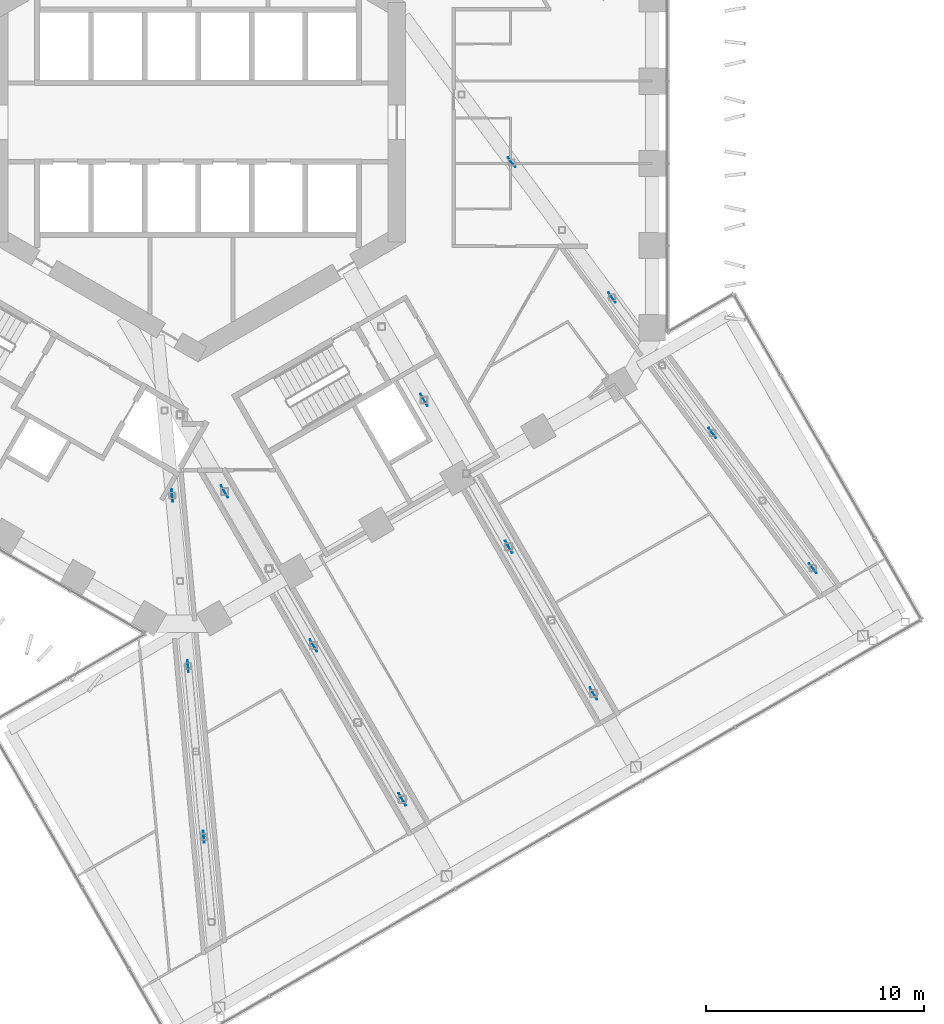
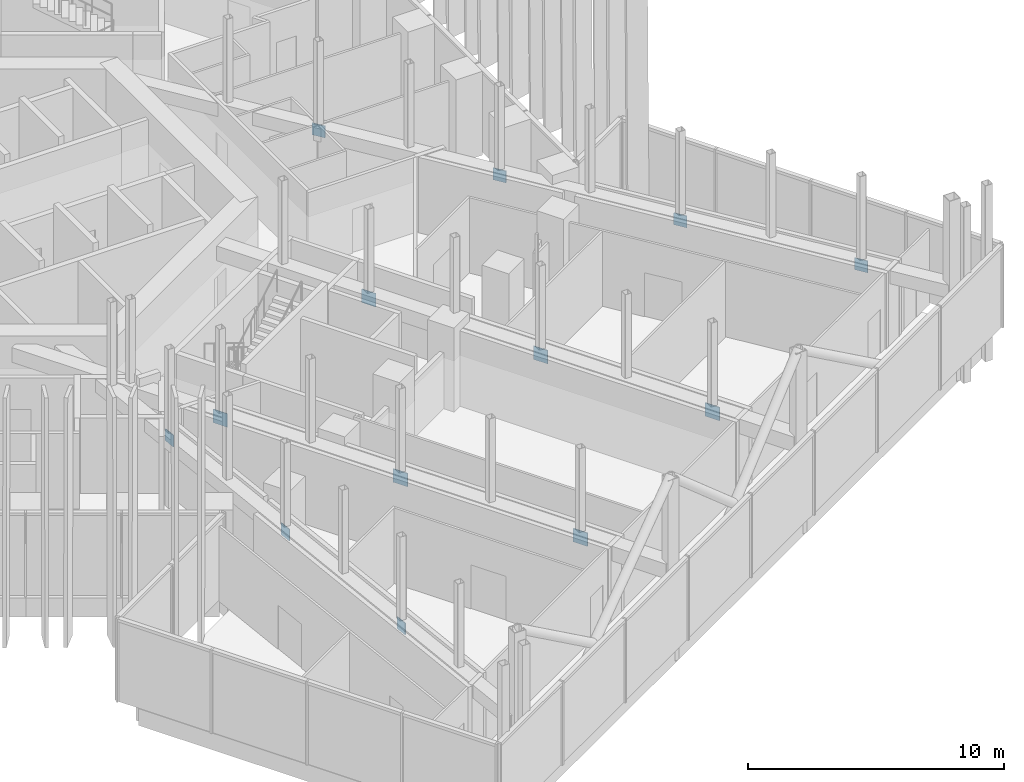
# One storey, part 24 of 29: 13 discrete accessories.
"""IFC4 building model written with IfcOpenShell, lengths in metres."""

from ifc_helpers import new_model, si_unit, direction, frame, origin, origin_2d, place, context, subcontext, project, spatial, rectangle, extrude, material, layer, layer_set, type_object, element, save


model = new_model("IFC4")

# Units and contexts
model_context = context("Model", 3, precision=1e-05, world=origin(), true_north=direction((0.0, 1.0)))
body_context = subcontext(model_context, "Body", "Model", "MODEL_VIEW")
ifc_project = project(units=[si_unit("LENGTHUNIT", "METRE"), si_unit("AREAUNIT", "SQUARE_METRE"), si_unit("VOLUMEUNIT", "CUBIC_METRE"), si_unit("PLANEANGLEUNIT", "RADIAN"), si_unit("MASSUNIT", "GRAM", prefix="KILO")], contexts=[model_context])

# Site, building, storey
site_placement = place(None, origin())
site = spatial("IfcSite", under=ifc_project, at=site_placement, CompositionType="ELEMENT")
building_placement = place(site_placement, origin())
building = spatial("IfcBuilding", under=site, at=building_placement, Name="Ayvan Gate Tower", CompositionType="ELEMENT")
storey_placement = place(building_placement, frame((0.0, 0.0, 66.300048828125)))
storey = spatial("IfcBuildingStorey", under=building, at=storey_placement, Name="L17", CompositionType="ELEMENT", Elevation=66.300048828125)

# Discrete accessories
ifc_material = material(Name="Steel S460ML", Category="steel")
ifc_layer = layer(ifc_material, 0.034912109375)
ifc_layer_set = layer_set([ifc_layer], Name="Steel S460ML")
discrete_accessory_type = type_object("IfcDiscreteAccessoryType", Name="Gusset plate 35 mm", PredefinedType="BRACKET", material=ifc_layer_set)
for number, where, z_axis, x_axis, name in (
    (1, (-1.18115234375, -17.088134765625, 2.969970703125), (0.0, 0.0, 1.0), (-0.092118593712, 0.995748042776, 0.0), "Gusset plate SBT1-1-D-2"),
    (2, (-0.458984375, -24.894287109375, 2.969970703125), (0.0, 0.0, 1.0), (-0.092118593712, 0.995748042776, 0.0), "Gusset plate SBT1-1-D-4"),
    (3, (0.26318359375, -32.700439453125, 2.969970703125), (0.0, 0.0, 1.0), (-0.092118593712, 0.995748042776, 0.0), "Gusset plate SBT1-1-D-6"),
):
    element("IfcDiscreteAccessory", number, at=place(storey_placement, frame(where, z_axis=z_axis, x_axis=x_axis)), inside=storey, type_object=discrete_accessory_type, Name=name, PredefinedType="BRACKET", context=body_context, shape_type="SweptSolid", body=[
        extrude(rectangle(XDim=0.56005859375, YDim=0.034912109375, at=origin_2d()), origin(), (0.0, 0.0, 1.0), 0.56005859375),
    ])
for number, where, z_axis, x_axis, name in (
    (4, (1.21533203125, -16.90478515625, 2.93017578125), (0.0, 0.0, 1.0), (-0.5, 0.866025403784, 0.0), "Gusset plate SBT1-2-D-2"),
    (5, (5.2802734375, -23.945556640625, 2.93017578125), (0.0, 0.0, 1.0), (-0.5, 0.866025403784, 0.0), "Gusset plate SBT1-2-D-4"),
    (6, (9.34521484375, -30.986328125, 2.93017578125), (0.0, 0.0, 1.0), (-0.5, 0.866025403784, 0.0), "Gusset plate SBT1-2-D-6"),
    (7, (10.341064453125, -12.711181640625, 2.93017578125), (0.0, 0.0, 1.0), (-0.5, 0.866025403784, 0.0), "Gusset plate SBT1-3-D-2"),
    (8, (14.2197265625, -19.429443359375, 2.93017578125), (0.0, 0.0, 1.0), (-0.5, 0.866025403784, 0.0), "Gusset plate SBT1-3-D-4"),
    (9, (18.098388671875, -26.147705078125, 2.93017578125), (0.0, 0.0, 1.0), (-0.5, 0.866025403784, 0.0), "Gusset plate SBT1-3-D-6"),
):
    element("IfcDiscreteAccessory", number, at=place(storey_placement, frame(where, z_axis=z_axis, x_axis=x_axis)), inside=storey, type_object=discrete_accessory_type, Name=name, PredefinedType="BRACKET", context=body_context, shape_type="SweptSolid", body=[
        extrude(rectangle(XDim=0.639892578125, YDim=0.034912109375, at=origin_2d()), origin(), (0.0, 0.0, 1.0), 0.639892578125),
    ])
for number, where, z_axis, x_axis, name in (
    (10, (14.35400390625, -1.83154296875, 2.969970703125), (0.0, 0.0, 1.0), (-0.59571752854, 0.803194015285, 0.0), "Gusset plate SBT1-4-D-2"),
    (11, (18.947265625, -8.0244140625, 2.969970703125), (0.0, 0.0, 1.0), (-0.59571752854, 0.803194015285, 0.0), "Gusset plate SBT1-4-D-4"),
    (12, (23.540283203125, -14.21728515625, 2.969970703125), (0.0, 0.0, 1.0), (-0.59571752854, 0.803194015285, 0.0), "Gusset plate SBT1-4-D-6"),
    (13, (28.133544921875, -20.41015625, 2.969970703125), (0.0, 0.0, 1.0), (-0.59571752854, 0.803194015285, 0.0), "Gusset plate SBT1-4-D-8"),
):
    element("IfcDiscreteAccessory", number, at=place(storey_placement, frame(where, z_axis=z_axis, x_axis=x_axis)), inside=storey, type_object=discrete_accessory_type, Name=name, PredefinedType="BRACKET", context=body_context, shape_type="SweptSolid", body=[
        extrude(rectangle(XDim=0.56005859375, YDim=0.034912109375, at=origin_2d()), origin(), (0.0, 0.0, 1.0), 0.56005859375),
    ])

save(model, "model.ifc")
